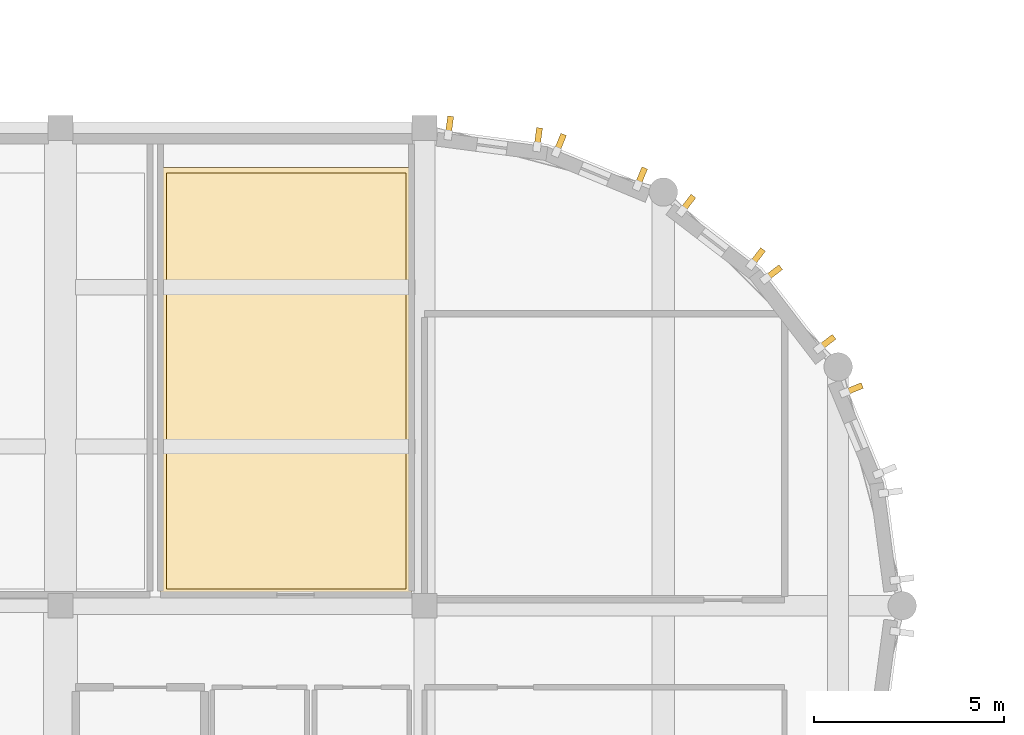
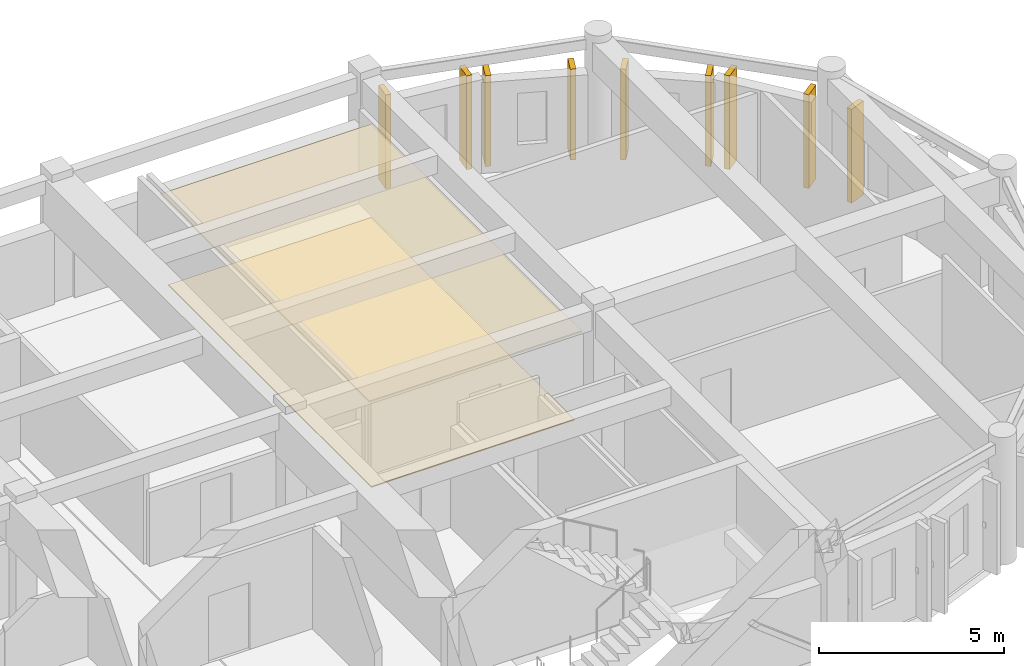
# One storey, part 31 of 31: 11 coverings.
"""IFC4 building model written with IfcOpenShell, lengths in metres."""

from ifc_helpers import new_model, si_unit, direction, frame, origin, origin_2d, place, context, subcontext, project, spatial, polyline, rectangle, outline, extrude, material, layer, layer_set, type_object, element, save


model = new_model("IFC4")

# Units and contexts
model_context = context("Model", 3, precision=1e-05, world=origin(), true_north=direction((0.0, 1.0)))
body_context = subcontext(model_context, "Body", "Model", "MODEL_VIEW")
ifc_project = project(units=[si_unit("LENGTHUNIT", "METRE"), si_unit("AREAUNIT", "SQUARE_METRE"), si_unit("VOLUMEUNIT", "CUBIC_METRE"), si_unit("PLANEANGLEUNIT", "RADIAN"), si_unit("MASSUNIT", "GRAM", prefix="KILO")], contexts=[model_context])

# Site, building, storey
site_placement = place(None, origin())
site = spatial("IfcSite", under=ifc_project, at=site_placement, CompositionType="ELEMENT")
building_placement = place(site_placement, origin())
building = spatial("IfcBuilding", under=site, at=building_placement, Name="Tarnavel Promenade Courthouse", CompositionType="ELEMENT")
storey_placement = place(building_placement, frame((0.0, 0.0, 18.60009765625)))
storey = spatial("IfcBuildingStorey", under=building, at=storey_placement, Name="L05", CompositionType="ELEMENT", Elevation=18.60009765625)

# Coverings
ifc_material_1 = material(Name="Engineered Smoked Oak Courtroom & Chambers Parquet")
ifc_layer_1 = layer(ifc_material_1, 0.031982421875)
ifc_layer_set_1 = layer_set([ifc_layer_1], Name="Engineered Smoked Oak Courtroom & Chambers Parquet")
covering_type_1 = type_object("IfcCoveringType", Name="Engineered Smoked Oak Courtroom & Chambers Parquet (COV-FLR-OAK-32)", PredefinedType="FLOORING", material=ifc_layer_set_1)
covering_1_placement = place(storey_placement, origin())
element("IfcCovering", 1, at=covering_1_placement, inside=storey, type_object=covering_type_1, Name="L05 Judges' Chambers L05 East Architectural Flooring 0038", PredefinedType="FLOORING", context=body_context, shape_type="SweptSolid", body=[
    extrude(outline(polyline([(95.18994140625, 92.239990234375), (101.510009765625, 92.239990234375), (101.510009765625, 103.2099609375), (95.18994140625, 103.2099609375), (95.18994140625, 92.239990234375)])), origin(), (0.0, 0.0, 1.0), 0.031982421875),
])
ifc_material_2 = material(Name="Micro-Perforated Acoustic Mineral-Fibre Ceiling")
ifc_layer_2 = layer(ifc_material_2, 0.044921875)
ifc_layer_set_2 = layer_set([ifc_layer_2], Name="Micro-Perforated Acoustic Mineral-Fibre Ceiling")
covering_type_2 = type_object("IfcCoveringType", Name="Micro-Perforated Acoustic Mineral-Fibre Ceiling (COV-CLG-MIN-45)", PredefinedType="CEILING", material=ifc_layer_set_2)
covering_2_placement = place(storey_placement, frame((0.0, 0.0, 2.94482421875)))
element("IfcCovering", 2, at=covering_2_placement, inside=storey, type_object=covering_type_2, Name="L05 Judges' Chambers L05 East Acoustic Ceiling 0038", PredefinedType="CEILING", context=body_context, shape_type="SweptSolid", body=[
    extrude(outline(polyline([(95.0400390625, 92.090087890625), (101.659912109375, 92.090087890625), (101.659912109375, 103.360107421875), (95.0400390625, 103.360107421875), (95.0400390625, 92.090087890625)])), origin(), (0.0, 0.0, 1.0), 0.045166015625),
])
ifc_material_3 = material(Name="Patinated Copper-Bronze Fluted Pier Cladding")
ifc_layer_3 = layer(ifc_material_3, 0.52001953125)
ifc_layer_set_3 = layer_set([ifc_layer_3], Name="Patinated Copper-Bronze Fluted Pier Cladding")
covering_type_3 = type_object("IfcCoveringType", Name="Patinated Copper-Bronze Fluted Pier Cladding COV-PIER-520 (520 mm)", PredefinedType="CLADDING", material=ifc_layer_set_3)
for number, where, z_axis, x_axis, name in (
    (3, (113.30712890625, 97.511474609375, 0.0), (0.0, 0.0, 1.0), (-0.382683432365, 0.923879532511, 0.0), "L05 E Drum Fluted Copper Pier 0170"),
    (4, (112.599853515625, 98.736572265625, 0.0), (0.0, 0.0, 1.0), (-0.608761429009, 0.793353340291, 0.0), "L05 E Drum Fluted Copper Pier 0171"),
    (5, (111.191162109375, 100.572509765625, 0.0), (0.0, 0.0, 1.0), (-0.608761429009, 0.793353340291, 0.0), "L05 E Drum Fluted Copper Pier 0172"),
):
    element("IfcCovering", number, at=place(storey_placement, frame(where, z_axis=z_axis, x_axis=x_axis)), inside=storey, type_object=covering_type_3, Name=name, PredefinedType="CLADDING", context=body_context, shape_type="SweptSolid", body=[
        extrude(rectangle(XDim=0.159912109375, YDim=0.52001953125, at=origin_2d()), origin(), (0.0, 0.0, 1.0), 3.090087890625),
    ])
for number, where, z_axis, x_axis, name in (
    (6, (110.772705078125, 100.9912109375, 0.0), (0.0, 0.0, 1.0), (-0.793353340291, 0.608761429009, 0.0), "L05 E Drum Fluted Copper Pier 0173"),
    (7, (108.9365234375, 102.39990234375, 0.0), (0.0, 0.0, 1.0), (-0.793353340291, 0.608761429009, 0.0), "L05 E Drum Fluted Copper Pier 0174"),
    (8, (107.71142578125, 103.107177734375, 0.0), (0.0, 0.0, 1.0), (-0.923879532511, 0.382683432365, 0.0), "L05 E Drum Fluted Copper Pier 0175"),
    (9, (105.573486328125, 103.992919921875, 0.0), (0.0, 0.0, 1.0), (-0.923879532511, 0.382683432365, 0.0), "L05 E Drum Fluted Copper Pier 0176"),
):
    element("IfcCovering", number, at=place(storey_placement, frame(where, z_axis=z_axis, x_axis=x_axis)), inside=storey, type_object=covering_type_3, Name=name, PredefinedType="CLADDING", context=body_context, shape_type="SweptSolid", body=[
        extrude(rectangle(XDim=0.159912109375, YDim=0.52001953125, at=origin_2d()), origin(), (0.0, 0.0, 1.0), 2.989990234375),
    ])
for number, where, z_axis, x_axis, name in (
    (10, (105.001708984375, 104.14599609375, 0.0), (0.0, 0.0, 1.0), (-0.991444861374, 0.13052619222, 0.0), "L05 E Drum Fluted Copper Pier 0177"),
    (11, (102.65771484375, 104.45458984375, 0.0), (0.0, 0.0, 1.0), (-0.991444861374, 0.13052619222, 0.0), "L05 E Drum Fluted Copper Pier 0178"),
):
    element("IfcCovering", number, at=place(storey_placement, frame(where, z_axis=z_axis, x_axis=x_axis)), inside=storey, type_object=covering_type_3, Name=name, PredefinedType="CLADDING", context=body_context, shape_type="SweptSolid", body=[
        extrude(rectangle(XDim=0.159912109375, YDim=0.52001953125, at=origin_2d()), origin(), (0.0, 0.0, 1.0), 3.090087890625),
    ])

save(model, "model.ifc")
